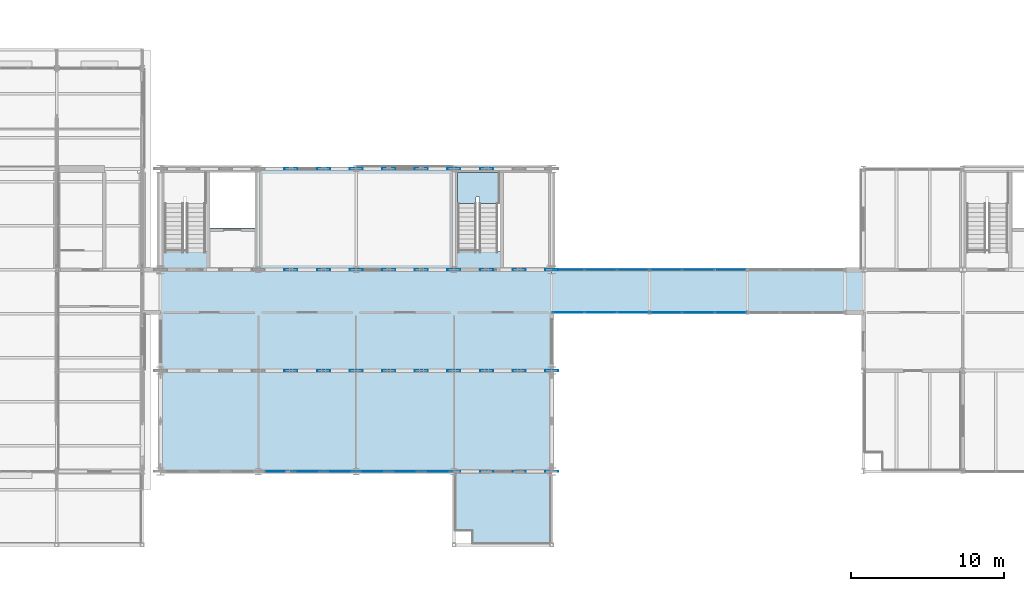
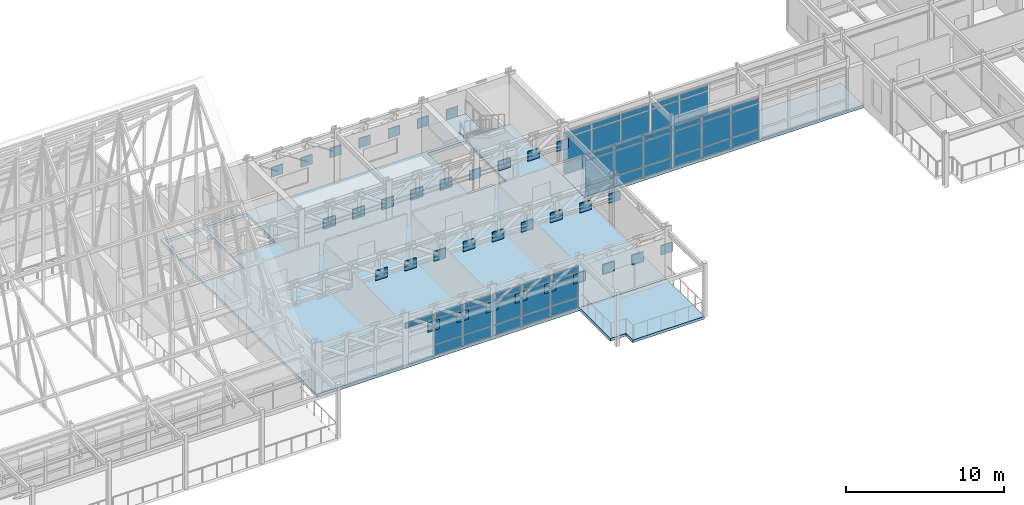
# One storey, part 95 of 144: 84 plates, 4 slabs, 7 elements without a shape of their own.
"""IFC4 building model written with IfcOpenShell, lengths in metres."""

from ifc_helpers import new_model, si_unit, direction, frame, origin, origin_2d, place, context, subcontext, project, spatial, polyline, rectangle, outline, extrude, material, layer, layer_set, type_object, element, aggregate, save


model = new_model("IFC4")

# Units and contexts
model_context = context("Model", 3, precision=1e-05, world=origin(), true_north=direction((0.0, 1.0)))
body_context = subcontext(model_context, "Body", "Model", "MODEL_VIEW")
ifc_project = project(units=[si_unit("LENGTHUNIT", "METRE"), si_unit("AREAUNIT", "SQUARE_METRE"), si_unit("VOLUMEUNIT", "CUBIC_METRE"), si_unit("PLANEANGLEUNIT", "RADIAN"), si_unit("MASSUNIT", "GRAM", prefix="KILO")], contexts=[model_context])

# Site, building, storey
site_placement = place(None, origin())
site = spatial("IfcSite", under=ifc_project, at=site_placement, CompositionType="ELEMENT")
building_placement = place(site_placement, origin())
building = spatial("IfcBuilding", under=site, at=building_placement, Name="Trelmorton Wharf Fire Station", CompositionType="ELEMENT")
storey_placement = place(building_placement, frame((0.0, 0.0, 5.39990234375)))
storey = spatial("IfcBuildingStorey", under=building, at=storey_placement, Name="L01", CompositionType="ELEMENT", Elevation=5.39990234375)

# Curtain wall, plates
ifc_material_1 = material(Name="Anodised aluminium AW-6063", Category="aluminium")
ifc_layer_1 = layer(ifc_material_1, 0.159912109375)
ifc_layer_set_1 = layer_set([ifc_layer_1], Name="Anodised aluminium AW-6063")
curtain_wall_type_1 = type_object("IfcCurtainWallType", Name="CW_CHIC_A", PredefinedType="USERDEFINED", material=ifc_layer_set_1)
curtain_wall_1_placement = place(storey_placement, origin())
curtain_wall_1 = element("IfcCurtainWall", 1, at=curtain_wall_1_placement, inside=storey, type_object=curtain_wall_type_1, Name="CW-V3-L01-023", ObjectType="CHICAGO BAY CURTAIN WALL", PredefinedType="USERDEFINED")
ifc_material_2 = material(Name="Tempered low-E double glazing", Category="glass")
ifc_layer_2 = layer(ifc_material_2, 0.028076171875)
ifc_layer_set_2 = layer_set([ifc_layer_2], Name="Tempered low-E double glazing")
plate_type_1 = type_object("IfcPlateType", Name="CWP_GLAZ_28", PredefinedType="CURTAIN_PANEL", material=ifc_layer_set_2)
plate_1_placement = place(storey_placement, frame((69.715087890625, 7.800048828125, 0.06005859375), z_axis=(0.0, 0.0, 1.0), x_axis=(-1.0, 0.0, 0.0)))
plate_1 = element("IfcPlate", 2, at=plate_1_placement, type_object=plate_type_1, Name="CW1 panel 1.1", PredefinedType="CURTAIN_PANEL", context=body_context, shape_type="SweptSolid", body=[
    extrude(rectangle(XDim=2.0400390625, YDim=0.028076171875, at=origin_2d()), origin(), (0.0, 0.0, 1.0), 0.760009765625),
])
plate_2_placement = place(storey_placement, frame((69.715087890625, 7.800048828125, 0.88037109375), z_axis=(0.0, 0.0, 1.0), x_axis=(-1.0, 0.0, 0.0)))
plate_2 = element("IfcPlate", 3, at=plate_2_placement, type_object=plate_type_1, Name="CW1 panel 1.2", PredefinedType="CURTAIN_PANEL", context=body_context, shape_type="SweptSolid", body=[
    extrude(rectangle(XDim=2.0400390625, YDim=0.028076171875, at=origin_2d()), origin(), (0.0, 0.0, 1.0), 1.909912109375),
])
plate_3_placement = place(storey_placement, frame((69.715087890625, 7.800048828125, 2.85009765625), z_axis=(0.0, 0.0, 1.0), x_axis=(-1.0, 0.0, 0.0)))
plate_3 = element("IfcPlate", 4, at=plate_3_placement, type_object=plate_type_1, Name="CW1 panel 1.3", PredefinedType="CURTAIN_PANEL", context=body_context, shape_type="SweptSolid", body=[
    extrude(rectangle(XDim=2.0400390625, YDim=0.028076171875, at=origin_2d()), origin(), (0.0, 0.0, 1.0), 0.409912109375),
])
plate_4_placement = place(storey_placement, frame((67.60009765625, 7.800048828125, 0.06005859375), z_axis=(0.0, 0.0, 1.0), x_axis=(-1.0, 0.0, 0.0)))
plate_4 = element("IfcPlate", 5, at=plate_4_placement, type_object=plate_type_1, Name="CW1 panel 2.1", PredefinedType="CURTAIN_PANEL", context=body_context, shape_type="SweptSolid", body=[
    extrude(rectangle(XDim=2.070068359375, YDim=0.028076171875, at=origin_2d()), origin(), (0.0, 0.0, 1.0), 0.760009765625),
])
plate_5_placement = place(storey_placement, frame((67.60009765625, 7.800048828125, 0.88037109375), z_axis=(0.0, 0.0, 1.0), x_axis=(-1.0, 0.0, 0.0)))
plate_5 = element("IfcPlate", 6, at=plate_5_placement, type_object=plate_type_1, Name="CW1 panel 2.2", PredefinedType="CURTAIN_PANEL", context=body_context, shape_type="SweptSolid", body=[
    extrude(rectangle(XDim=2.070068359375, YDim=0.028076171875, at=origin_2d()), origin(), (0.0, 0.0, 1.0), 1.909912109375),
])
plate_6_placement = place(storey_placement, frame((67.60009765625, 7.800048828125, 2.85009765625), z_axis=(0.0, 0.0, 1.0), x_axis=(-1.0, 0.0, 0.0)))
plate_6 = element("IfcPlate", 7, at=plate_6_placement, type_object=plate_type_1, Name="CW1 panel 2.3", PredefinedType="CURTAIN_PANEL", context=body_context, shape_type="SweptSolid", body=[
    extrude(rectangle(XDim=2.070068359375, YDim=0.028076171875, at=origin_2d()), origin(), (0.0, 0.0, 1.0), 0.409912109375),
])
plate_7_placement = place(storey_placement, frame((65.485107421875, 7.800048828125, 2.85009765625), z_axis=(0.0, 0.0, 1.0), x_axis=(-1.0, 0.0, 0.0)))
plate_7 = element("IfcPlate", 8, at=plate_7_placement, type_object=plate_type_1, Name="CW1 panel 3.3", PredefinedType="CURTAIN_PANEL", context=body_context, shape_type="SweptSolid", body=[
    extrude(rectangle(XDim=2.0400390625, YDim=0.028076171875, at=origin_2d()), origin(), (0.0, 0.0, 1.0), 0.409912109375),
])
aggregate(curtain_wall_1, [plate_1, plate_2, plate_3, plate_4, plate_5, plate_6, plate_7])

ifc_layer_3 = layer(ifc_material_1, 0.139892578125)
ifc_layer_set_3 = layer_set([ifc_layer_3], Name="Anodised aluminium AW-6063")
curtain_wall_type_2 = type_object("IfcCurtainWallType", Name="CW_BRDG_A", PredefinedType="USERDEFINED", material=ifc_layer_set_3)
curtain_wall_2_placement = place(storey_placement, origin())
curtain_wall_2 = element("IfcCurtainWall", 9, at=curtain_wall_2_placement, inside=storey, type_object=curtain_wall_type_2, Name="CW-BR-L01-154", ObjectType="UNITISED CURTAIN WALL", PredefinedType="USERDEFINED")
plate_8_placement = place(storey_placement, frame((88.9150390625, 18.199951171875, 0.06005859375), z_axis=(0.0, 0.0, 1.0), x_axis=(-1.0, 0.0, 0.0)))
plate_8 = element("IfcPlate", 10, at=plate_8_placement, type_object=plate_type_1, Name="CW4 panel 1.1", PredefinedType="CURTAIN_PANEL", context=body_context, shape_type="SweptSolid", body=[
    extrude(rectangle(XDim=2.0400390625, YDim=0.028076171875, at=origin_2d()), origin(), (0.0, 0.0, 1.0), 0.760009765625),
])
plate_9_placement = place(storey_placement, frame((88.9150390625, 18.199951171875, 0.88037109375), z_axis=(0.0, 0.0, 1.0), x_axis=(-1.0, 0.0, 0.0)))
plate_9 = element("IfcPlate", 11, at=plate_9_placement, type_object=plate_type_1, Name="CW4 panel 1.2", PredefinedType="CURTAIN_PANEL", context=body_context, shape_type="SweptSolid", body=[
    extrude(rectangle(XDim=2.0400390625, YDim=0.028076171875, at=origin_2d()), origin(), (0.0, 0.0, 1.0), 1.909912109375),
])
plate_10_placement = place(storey_placement, frame((88.9150390625, 18.199951171875, 2.85009765625), z_axis=(0.0, 0.0, 1.0), x_axis=(-1.0, 0.0, 0.0)))
plate_10 = element("IfcPlate", 12, at=plate_10_placement, type_object=plate_type_1, Name="CW4 panel 1.3", PredefinedType="CURTAIN_PANEL", context=body_context, shape_type="SweptSolid", body=[
    extrude(rectangle(XDim=2.0400390625, YDim=0.028076171875, at=origin_2d()), origin(), (0.0, 0.0, 1.0), 0.409912109375),
])
plate_11_placement = place(storey_placement, frame((86.800048828125, 18.199951171875, 0.06005859375), z_axis=(0.0, 0.0, 1.0), x_axis=(-1.0, 0.0, 0.0)))
plate_11 = element("IfcPlate", 13, at=plate_11_placement, type_object=plate_type_1, Name="CW4 panel 2.1", PredefinedType="CURTAIN_PANEL", context=body_context, shape_type="SweptSolid", body=[
    extrude(rectangle(XDim=2.070068359375, YDim=0.028076171875, at=origin_2d()), origin(), (0.0, 0.0, 1.0), 0.760009765625),
])
plate_12_placement = place(storey_placement, frame((86.800048828125, 18.199951171875, 0.88037109375), z_axis=(0.0, 0.0, 1.0), x_axis=(-1.0, 0.0, 0.0)))
plate_12 = element("IfcPlate", 14, at=plate_12_placement, type_object=plate_type_1, Name="CW4 panel 2.2", PredefinedType="CURTAIN_PANEL", context=body_context, shape_type="SweptSolid", body=[
    extrude(rectangle(XDim=2.070068359375, YDim=0.028076171875, at=origin_2d()), origin(), (0.0, 0.0, 1.0), 1.909912109375),
])
plate_13_placement = place(storey_placement, frame((86.800048828125, 18.199951171875, 2.85009765625), z_axis=(0.0, 0.0, 1.0), x_axis=(-1.0, 0.0, 0.0)))
plate_13 = element("IfcPlate", 15, at=plate_13_placement, type_object=plate_type_1, Name="CW4 panel 2.3", PredefinedType="CURTAIN_PANEL", context=body_context, shape_type="SweptSolid", body=[
    extrude(rectangle(XDim=2.070068359375, YDim=0.028076171875, at=origin_2d()), origin(), (0.0, 0.0, 1.0), 0.409912109375),
])
plate_14_placement = place(storey_placement, frame((84.68505859375, 18.199951171875, 0.06005859375), z_axis=(0.0, 0.0, 1.0), x_axis=(-1.0, 0.0, 0.0)))
plate_14 = element("IfcPlate", 16, at=plate_14_placement, type_object=plate_type_1, Name="CW4 panel 3.1", PredefinedType="CURTAIN_PANEL", context=body_context, shape_type="SweptSolid", body=[
    extrude(rectangle(XDim=2.0400390625, YDim=0.028076171875, at=origin_2d()), origin(), (0.0, 0.0, 1.0), 0.760009765625),
])
plate_15_placement = place(storey_placement, frame((84.68505859375, 18.199951171875, 0.88037109375), z_axis=(0.0, 0.0, 1.0), x_axis=(-1.0, 0.0, 0.0)))
plate_15 = element("IfcPlate", 17, at=plate_15_placement, type_object=plate_type_1, Name="CW4 panel 3.2", PredefinedType="CURTAIN_PANEL", context=body_context, shape_type="SweptSolid", body=[
    extrude(rectangle(XDim=2.0400390625, YDim=0.028076171875, at=origin_2d()), origin(), (0.0, 0.0, 1.0), 1.909912109375),
])
plate_16_placement = place(storey_placement, frame((84.68505859375, 18.199951171875, 2.85009765625), z_axis=(0.0, 0.0, 1.0), x_axis=(-1.0, 0.0, 0.0)))
plate_16 = element("IfcPlate", 18, at=plate_16_placement, type_object=plate_type_1, Name="CW4 panel 3.3", PredefinedType="CURTAIN_PANEL", context=body_context, shape_type="SweptSolid", body=[
    extrude(rectangle(XDim=2.0400390625, YDim=0.028076171875, at=origin_2d()), origin(), (0.0, 0.0, 1.0), 0.409912109375),
])
aggregate(curtain_wall_2, [plate_8, plate_9, plate_10, plate_11, plate_12, plate_13, plate_14, plate_15, plate_16])

curtain_wall_3_placement = place(storey_placement, origin())
curtain_wall_3 = element("IfcCurtainWall", 19, at=curtain_wall_3_placement, inside=storey, type_object=curtain_wall_type_2, Name="CW-BR-L01-155", ObjectType="UNITISED CURTAIN WALL", PredefinedType="USERDEFINED")
plate_17_placement = place(storey_placement, frame((84.68505859375, 21.0, 0.06005859375), z_axis=(0.0, 0.0, 1.0), x_axis=(1.0, 0.0, 0.0)))
plate_17 = element("IfcPlate", 20, at=plate_17_placement, type_object=plate_type_1, Name="CW4 panel 1.1", PredefinedType="CURTAIN_PANEL", context=body_context, shape_type="SweptSolid", body=[
    extrude(rectangle(XDim=2.0400390625, YDim=0.028076171875, at=origin_2d()), origin(), (0.0, 0.0, 1.0), 0.760009765625),
])
plate_18_placement = place(storey_placement, frame((84.68505859375, 21.0, 0.88037109375), z_axis=(0.0, 0.0, 1.0), x_axis=(1.0, 0.0, 0.0)))
plate_18 = element("IfcPlate", 21, at=plate_18_placement, type_object=plate_type_1, Name="CW4 panel 1.2", PredefinedType="CURTAIN_PANEL", context=body_context, shape_type="SweptSolid", body=[
    extrude(rectangle(XDim=2.0400390625, YDim=0.028076171875, at=origin_2d()), origin(), (0.0, 0.0, 1.0), 1.909912109375),
])
plate_19_placement = place(storey_placement, frame((84.68505859375, 21.0, 2.85009765625), z_axis=(0.0, 0.0, 1.0), x_axis=(1.0, 0.0, 0.0)))
plate_19 = element("IfcPlate", 22, at=plate_19_placement, type_object=plate_type_1, Name="CW4 panel 1.3", PredefinedType="CURTAIN_PANEL", context=body_context, shape_type="SweptSolid", body=[
    extrude(rectangle(XDim=2.0400390625, YDim=0.028076171875, at=origin_2d()), origin(), (0.0, 0.0, 1.0), 0.409912109375),
])
plate_20_placement = place(storey_placement, frame((86.800048828125, 21.0, 0.06005859375), z_axis=(0.0, 0.0, 1.0), x_axis=(1.0, 0.0, 0.0)))
plate_20 = element("IfcPlate", 23, at=plate_20_placement, type_object=plate_type_1, Name="CW4 panel 2.1", PredefinedType="CURTAIN_PANEL", context=body_context, shape_type="SweptSolid", body=[
    extrude(rectangle(XDim=2.070068359375, YDim=0.028076171875, at=origin_2d()), origin(), (0.0, 0.0, 1.0), 0.760009765625),
])
plate_21_placement = place(storey_placement, frame((86.800048828125, 21.0, 0.88037109375), z_axis=(0.0, 0.0, 1.0), x_axis=(1.0, 0.0, 0.0)))
plate_21 = element("IfcPlate", 24, at=plate_21_placement, type_object=plate_type_1, Name="CW4 panel 2.2", PredefinedType="CURTAIN_PANEL", context=body_context, shape_type="SweptSolid", body=[
    extrude(rectangle(XDim=2.070068359375, YDim=0.028076171875, at=origin_2d()), origin(), (0.0, 0.0, 1.0), 1.909912109375),
])
plate_22_placement = place(storey_placement, frame((86.800048828125, 21.0, 2.85009765625), z_axis=(0.0, 0.0, 1.0), x_axis=(1.0, 0.0, 0.0)))
plate_22 = element("IfcPlate", 25, at=plate_22_placement, type_object=plate_type_1, Name="CW4 panel 2.3", PredefinedType="CURTAIN_PANEL", context=body_context, shape_type="SweptSolid", body=[
    extrude(rectangle(XDim=2.070068359375, YDim=0.028076171875, at=origin_2d()), origin(), (0.0, 0.0, 1.0), 0.409912109375),
])
plate_23_placement = place(storey_placement, frame((88.9150390625, 21.0, 0.06005859375), z_axis=(0.0, 0.0, 1.0), x_axis=(1.0, 0.0, 0.0)))
plate_23 = element("IfcPlate", 26, at=plate_23_placement, type_object=plate_type_1, Name="CW4 panel 3.1", PredefinedType="CURTAIN_PANEL", context=body_context, shape_type="SweptSolid", body=[
    extrude(rectangle(XDim=2.0400390625, YDim=0.028076171875, at=origin_2d()), origin(), (0.0, 0.0, 1.0), 0.760009765625),
])
plate_24_placement = place(storey_placement, frame((88.9150390625, 21.0, 0.88037109375), z_axis=(0.0, 0.0, 1.0), x_axis=(1.0, 0.0, 0.0)))
plate_24 = element("IfcPlate", 27, at=plate_24_placement, type_object=plate_type_1, Name="CW4 panel 3.2", PredefinedType="CURTAIN_PANEL", context=body_context, shape_type="SweptSolid", body=[
    extrude(rectangle(XDim=2.0400390625, YDim=0.028076171875, at=origin_2d()), origin(), (0.0, 0.0, 1.0), 1.909912109375),
])
plate_25_placement = place(storey_placement, frame((88.9150390625, 21.0, 2.85009765625), z_axis=(0.0, 0.0, 1.0), x_axis=(1.0, 0.0, 0.0)))
plate_25 = element("IfcPlate", 28, at=plate_25_placement, type_object=plate_type_1, Name="CW4 panel 3.3", PredefinedType="CURTAIN_PANEL", context=body_context, shape_type="SweptSolid", body=[
    extrude(rectangle(XDim=2.0400390625, YDim=0.028076171875, at=origin_2d()), origin(), (0.0, 0.0, 1.0), 0.409912109375),
])
aggregate(curtain_wall_3, [plate_17, plate_18, plate_19, plate_20, plate_21, plate_22, plate_23, plate_24, plate_25])

curtain_wall_4_placement = place(storey_placement, origin())
curtain_wall_4 = element("IfcCurtainWall", 29, at=curtain_wall_4_placement, inside=storey, type_object=curtain_wall_type_2, Name="CW-BR-L01-157", ObjectType="UNITISED CURTAIN WALL", PredefinedType="USERDEFINED")
plate_26_placement = place(storey_placement, frame((91.0849609375, 21.0, 0.06005859375), z_axis=(0.0, 0.0, 1.0), x_axis=(1.0, 0.0, 0.0)))
plate_26 = element("IfcPlate", 30, at=plate_26_placement, type_object=plate_type_1, Name="CW4 panel 1.1", PredefinedType="CURTAIN_PANEL", context=body_context, shape_type="SweptSolid", body=[
    extrude(rectangle(XDim=2.0400390625, YDim=0.028076171875, at=origin_2d()), origin(), (0.0, 0.0, 1.0), 0.760009765625),
])
plate_27_placement = place(storey_placement, frame((91.0849609375, 21.0, 0.88037109375), z_axis=(0.0, 0.0, 1.0), x_axis=(1.0, 0.0, 0.0)))
plate_27 = element("IfcPlate", 31, at=plate_27_placement, type_object=plate_type_1, Name="CW4 panel 1.2", PredefinedType="CURTAIN_PANEL", context=body_context, shape_type="SweptSolid", body=[
    extrude(rectangle(XDim=2.0400390625, YDim=0.028076171875, at=origin_2d()), origin(), (0.0, 0.0, 1.0), 1.909912109375),
])
plate_28_placement = place(storey_placement, frame((91.0849609375, 21.0, 2.85009765625), z_axis=(0.0, 0.0, 1.0), x_axis=(1.0, 0.0, 0.0)))
plate_28 = element("IfcPlate", 32, at=plate_28_placement, type_object=plate_type_1, Name="CW4 panel 1.3", PredefinedType="CURTAIN_PANEL", context=body_context, shape_type="SweptSolid", body=[
    extrude(rectangle(XDim=2.0400390625, YDim=0.028076171875, at=origin_2d()), origin(), (0.0, 0.0, 1.0), 0.409912109375),
])
plate_29_placement = place(storey_placement, frame((93.199951171875, 21.0, 0.06005859375), z_axis=(0.0, 0.0, 1.0), x_axis=(1.0, 0.0, 0.0)))
plate_29 = element("IfcPlate", 33, at=plate_29_placement, type_object=plate_type_1, Name="CW4 panel 2.1", PredefinedType="CURTAIN_PANEL", context=body_context, shape_type="SweptSolid", body=[
    extrude(rectangle(XDim=2.070068359375, YDim=0.028076171875, at=origin_2d()), origin(), (0.0, 0.0, 1.0), 0.760009765625),
])
plate_30_placement = place(storey_placement, frame((93.199951171875, 21.0, 0.88037109375), z_axis=(0.0, 0.0, 1.0), x_axis=(1.0, 0.0, 0.0)))
plate_30 = element("IfcPlate", 34, at=plate_30_placement, type_object=plate_type_1, Name="CW4 panel 2.2", PredefinedType="CURTAIN_PANEL", context=body_context, shape_type="SweptSolid", body=[
    extrude(rectangle(XDim=2.070068359375, YDim=0.028076171875, at=origin_2d()), origin(), (0.0, 0.0, 1.0), 1.909912109375),
])
plate_31_placement = place(storey_placement, frame((93.199951171875, 21.0, 2.85009765625), z_axis=(0.0, 0.0, 1.0), x_axis=(1.0, 0.0, 0.0)))
plate_31 = element("IfcPlate", 35, at=plate_31_placement, type_object=plate_type_1, Name="CW4 panel 2.3", PredefinedType="CURTAIN_PANEL", context=body_context, shape_type="SweptSolid", body=[
    extrude(rectangle(XDim=2.070068359375, YDim=0.028076171875, at=origin_2d()), origin(), (0.0, 0.0, 1.0), 0.409912109375),
])
plate_32_placement = place(storey_placement, frame((95.31494140625, 21.0, 0.06005859375), z_axis=(0.0, 0.0, 1.0), x_axis=(1.0, 0.0, 0.0)))
plate_32 = element("IfcPlate", 36, at=plate_32_placement, type_object=plate_type_1, Name="CW4 panel 3.1", PredefinedType="CURTAIN_PANEL", context=body_context, shape_type="SweptSolid", body=[
    extrude(rectangle(XDim=2.0400390625, YDim=0.028076171875, at=origin_2d()), origin(), (0.0, 0.0, 1.0), 0.760009765625),
])
aggregate(curtain_wall_4, [plate_26, plate_27, plate_28, plate_29, plate_30, plate_31, plate_32])

curtain_wall_5_placement = place(storey_placement, origin())
curtain_wall_5 = element("IfcCurtainWall", 37, at=curtain_wall_5_placement, inside=storey, type_object=curtain_wall_type_1, Name="CW-V3-L01-024", ObjectType="CHICAGO BAY CURTAIN WALL", PredefinedType="USERDEFINED")
ifc_material_3 = material(Name="Ceramic-fritted spandrel glazing", Category="glass")
ifc_layer_4 = layer(ifc_material_3, 0.028076171875)
ifc_layer_set_4 = layer_set([ifc_layer_4], Name="Ceramic-fritted spandrel glazing")
plate_type_2 = type_object("IfcPlateType", Name="CWP_SPAN_48", PredefinedType="CURTAIN_PANEL", material=ifc_layer_set_4)
plate_33_placement = place(storey_placement, frame((76.114990234375, 7.800048828125, 0.06005859375), z_axis=(0.0, 0.0, 1.0), x_axis=(-1.0, 0.0, 0.0)))
plate_33 = element("IfcPlate", 38, at=plate_33_placement, type_object=plate_type_2, Name="CW1 panel 1.1", PredefinedType="CURTAIN_PANEL", context=body_context, shape_type="SweptSolid", body=[
    extrude(rectangle(XDim=2.0400390625, YDim=0.028076171875, at=origin_2d()), origin(), (0.0, 0.0, 1.0), 0.760009765625),
])
plate_34_placement = place(storey_placement, frame((76.114990234375, 7.800048828125, 0.88037109375), z_axis=(0.0, 0.0, 1.0), x_axis=(-1.0, 0.0, 0.0)))
plate_34 = element("IfcPlate", 39, at=plate_34_placement, type_object=plate_type_2, Name="CW1 panel 1.2", PredefinedType="CURTAIN_PANEL", context=body_context, shape_type="SweptSolid", body=[
    extrude(rectangle(XDim=2.0400390625, YDim=0.028076171875, at=origin_2d()), origin(), (0.0, 0.0, 1.0), 1.909912109375),
])
plate_35_placement = place(storey_placement, frame((76.114990234375, 7.800048828125, 2.85009765625), z_axis=(0.0, 0.0, 1.0), x_axis=(-1.0, 0.0, 0.0)))
plate_35 = element("IfcPlate", 40, at=plate_35_placement, type_object=plate_type_2, Name="CW1 panel 1.3", PredefinedType="CURTAIN_PANEL", context=body_context, shape_type="SweptSolid", body=[
    extrude(rectangle(XDim=2.0400390625, YDim=0.028076171875, at=origin_2d()), origin(), (0.0, 0.0, 1.0), 0.409912109375),
])
plate_36_placement = place(storey_placement, frame((74.0, 7.800048828125, 0.06005859375), z_axis=(0.0, 0.0, 1.0), x_axis=(-1.0, 0.0, 0.0)))
plate_36 = element("IfcPlate", 41, at=plate_36_placement, type_object=plate_type_2, Name="CW1 panel 2.1", PredefinedType="CURTAIN_PANEL", context=body_context, shape_type="SweptSolid", body=[
    extrude(rectangle(XDim=2.070068359375, YDim=0.028076171875, at=origin_2d()), origin(), (0.0, 0.0, 1.0), 0.760009765625),
])
plate_37_placement = place(storey_placement, frame((74.0, 7.800048828125, 0.88037109375), z_axis=(0.0, 0.0, 1.0), x_axis=(-1.0, 0.0, 0.0)))
plate_37 = element("IfcPlate", 42, at=plate_37_placement, type_object=plate_type_2, Name="CW1 panel 2.2", PredefinedType="CURTAIN_PANEL", context=body_context, shape_type="SweptSolid", body=[
    extrude(rectangle(XDim=2.070068359375, YDim=0.028076171875, at=origin_2d()), origin(), (0.0, 0.0, 1.0), 1.909912109375),
])
plate_38_placement = place(storey_placement, frame((74.0, 7.800048828125, 2.85009765625), z_axis=(0.0, 0.0, 1.0), x_axis=(-1.0, 0.0, 0.0)))
plate_38 = element("IfcPlate", 43, at=plate_38_placement, type_object=plate_type_2, Name="CW1 panel 2.3", PredefinedType="CURTAIN_PANEL", context=body_context, shape_type="SweptSolid", body=[
    extrude(rectangle(XDim=2.070068359375, YDim=0.028076171875, at=origin_2d()), origin(), (0.0, 0.0, 1.0), 0.409912109375),
])
plate_39_placement = place(storey_placement, frame((71.885009765625, 7.800048828125, 0.06005859375), z_axis=(0.0, 0.0, 1.0), x_axis=(-1.0, 0.0, 0.0)))
plate_39 = element("IfcPlate", 44, at=plate_39_placement, type_object=plate_type_2, Name="CW1 panel 3.1", PredefinedType="CURTAIN_PANEL", context=body_context, shape_type="SweptSolid", body=[
    extrude(rectangle(XDim=2.0400390625, YDim=0.028076171875, at=origin_2d()), origin(), (0.0, 0.0, 1.0), 0.760009765625),
])
plate_40_placement = place(storey_placement, frame((71.885009765625, 7.800048828125, 0.88037109375), z_axis=(0.0, 0.0, 1.0), x_axis=(-1.0, 0.0, 0.0)))
plate_40 = element("IfcPlate", 45, at=plate_40_placement, type_object=plate_type_2, Name="CW1 panel 3.2", PredefinedType="CURTAIN_PANEL", context=body_context, shape_type="SweptSolid", body=[
    extrude(rectangle(XDim=2.0400390625, YDim=0.028076171875, at=origin_2d()), origin(), (0.0, 0.0, 1.0), 1.909912109375),
])
plate_41_placement = place(storey_placement, frame((71.885009765625, 7.800048828125, 2.85009765625), z_axis=(0.0, 0.0, 1.0), x_axis=(-1.0, 0.0, 0.0)))
plate_41 = element("IfcPlate", 46, at=plate_41_placement, type_object=plate_type_2, Name="CW1 panel 3.3", PredefinedType="CURTAIN_PANEL", context=body_context, shape_type="SweptSolid", body=[
    extrude(rectangle(XDim=2.0400390625, YDim=0.028076171875, at=origin_2d()), origin(), (0.0, 0.0, 1.0), 0.409912109375),
])
aggregate(curtain_wall_5, [plate_33, plate_34, plate_35, plate_36, plate_37, plate_38, plate_39, plate_40, plate_41])

curtain_wall_6_placement = place(storey_placement, origin())
curtain_wall_6 = element("IfcCurtainWall", 47, at=curtain_wall_6_placement, inside=storey, type_object=curtain_wall_type_2, Name="CW-BR-L01-156", ObjectType="UNITISED CURTAIN WALL", PredefinedType="USERDEFINED")
plate_42_placement = place(storey_placement, frame((95.31494140625, 18.199951171875, 0.06005859375), z_axis=(0.0, 0.0, 1.0), x_axis=(-1.0, 0.0, 0.0)))
plate_42 = element("IfcPlate", 48, at=plate_42_placement, type_object=plate_type_2, Name="CW4 panel 1.1", PredefinedType="CURTAIN_PANEL", context=body_context, shape_type="SweptSolid", body=[
    extrude(rectangle(XDim=2.0400390625, YDim=0.028076171875, at=origin_2d()), origin(), (0.0, 0.0, 1.0), 0.760009765625),
])
plate_43_placement = place(storey_placement, frame((95.31494140625, 18.199951171875, 0.88037109375), z_axis=(0.0, 0.0, 1.0), x_axis=(-1.0, 0.0, 0.0)))
plate_43 = element("IfcPlate", 49, at=plate_43_placement, type_object=plate_type_2, Name="CW4 panel 1.2", PredefinedType="CURTAIN_PANEL", context=body_context, shape_type="SweptSolid", body=[
    extrude(rectangle(XDim=2.0400390625, YDim=0.028076171875, at=origin_2d()), origin(), (0.0, 0.0, 1.0), 1.909912109375),
])
plate_44_placement = place(storey_placement, frame((95.31494140625, 18.199951171875, 2.85009765625), z_axis=(0.0, 0.0, 1.0), x_axis=(-1.0, 0.0, 0.0)))
plate_44 = element("IfcPlate", 50, at=plate_44_placement, type_object=plate_type_2, Name="CW4 panel 1.3", PredefinedType="CURTAIN_PANEL", context=body_context, shape_type="SweptSolid", body=[
    extrude(rectangle(XDim=2.0400390625, YDim=0.028076171875, at=origin_2d()), origin(), (0.0, 0.0, 1.0), 0.409912109375),
])
plate_45_placement = place(storey_placement, frame((93.199951171875, 18.199951171875, 0.06005859375), z_axis=(0.0, 0.0, 1.0), x_axis=(-1.0, 0.0, 0.0)))
plate_45 = element("IfcPlate", 51, at=plate_45_placement, type_object=plate_type_2, Name="CW4 panel 2.1", PredefinedType="CURTAIN_PANEL", context=body_context, shape_type="SweptSolid", body=[
    extrude(rectangle(XDim=2.070068359375, YDim=0.028076171875, at=origin_2d()), origin(), (0.0, 0.0, 1.0), 0.760009765625),
])
plate_46_placement = place(storey_placement, frame((93.199951171875, 18.199951171875, 0.88037109375), z_axis=(0.0, 0.0, 1.0), x_axis=(-1.0, 0.0, 0.0)))
plate_46 = element("IfcPlate", 52, at=plate_46_placement, type_object=plate_type_2, Name="CW4 panel 2.2", PredefinedType="CURTAIN_PANEL", context=body_context, shape_type="SweptSolid", body=[
    extrude(rectangle(XDim=2.070068359375, YDim=0.028076171875, at=origin_2d()), origin(), (0.0, 0.0, 1.0), 1.909912109375),
])
plate_47_placement = place(storey_placement, frame((93.199951171875, 18.199951171875, 2.85009765625), z_axis=(0.0, 0.0, 1.0), x_axis=(-1.0, 0.0, 0.0)))
plate_47 = element("IfcPlate", 53, at=plate_47_placement, type_object=plate_type_2, Name="CW4 panel 2.3", PredefinedType="CURTAIN_PANEL", context=body_context, shape_type="SweptSolid", body=[
    extrude(rectangle(XDim=2.070068359375, YDim=0.028076171875, at=origin_2d()), origin(), (0.0, 0.0, 1.0), 0.409912109375),
])
plate_48_placement = place(storey_placement, frame((91.0849609375, 18.199951171875, 0.06005859375), z_axis=(0.0, 0.0, 1.0), x_axis=(-1.0, 0.0, 0.0)))
plate_48 = element("IfcPlate", 54, at=plate_48_placement, type_object=plate_type_2, Name="CW4 panel 3.1", PredefinedType="CURTAIN_PANEL", context=body_context, shape_type="SweptSolid", body=[
    extrude(rectangle(XDim=2.0400390625, YDim=0.028076171875, at=origin_2d()), origin(), (0.0, 0.0, 1.0), 0.760009765625),
])
plate_49_placement = place(storey_placement, frame((91.0849609375, 18.199951171875, 0.88037109375), z_axis=(0.0, 0.0, 1.0), x_axis=(-1.0, 0.0, 0.0)))
plate_49 = element("IfcPlate", 55, at=plate_49_placement, type_object=plate_type_2, Name="CW4 panel 3.2", PredefinedType="CURTAIN_PANEL", context=body_context, shape_type="SweptSolid", body=[
    extrude(rectangle(XDim=2.0400390625, YDim=0.028076171875, at=origin_2d()), origin(), (0.0, 0.0, 1.0), 1.909912109375),
])
plate_50_placement = place(storey_placement, frame((91.0849609375, 18.199951171875, 2.85009765625), z_axis=(0.0, 0.0, 1.0), x_axis=(-1.0, 0.0, 0.0)))
plate_50 = element("IfcPlate", 56, at=plate_50_placement, type_object=plate_type_2, Name="CW4 panel 3.3", PredefinedType="CURTAIN_PANEL", context=body_context, shape_type="SweptSolid", body=[
    extrude(rectangle(XDim=2.0400390625, YDim=0.028076171875, at=origin_2d()), origin(), (0.0, 0.0, 1.0), 0.409912109375),
])
aggregate(curtain_wall_6, [plate_42, plate_43, plate_44, plate_45, plate_46, plate_47, plate_48, plate_49, plate_50])

# Plates
ifc_material_4 = material(Name="Steel Grade 350", Category="steel")
ifc_layer_5 = layer(ifc_material_4, 0.06005859375)
ifc_layer_set_5 = layer_set([ifc_layer_5], Name="Steel Grade 350")
plate_type_3 = type_object("IfcPlateType", Name="PL_GUSSET_KTN1", PredefinedType="USERDEFINED", material=ifc_layer_set_5)
for number, where, z_axis, x_axis, name in (
    (57, (66.533203125, 7.800048828125, 1.97509765625), (0.0, 0.0, 1.0), (1.0, 0.0, 0.0), "PL-KTN-0009"),
    (58, (68.666748046875, 7.800048828125, 1.97509765625), (0.0, 0.0, 1.0), (1.0, 0.0, 0.0), "PL-KTN-0011"),
    (59, (70.800048828125, 7.800048828125, 1.97509765625), (0.0, 0.0, 1.0), (1.0, 0.0, 0.0), "PL-KTN-0013"),
    (60, (72.933349609375, 7.800048828125, 1.97509765625), (0.0, 0.0, 1.0), (1.0, 0.0, 0.0), "PL-KTN-0015"),
    (61, (75.066650390625, 7.800048828125, 1.97509765625), (0.0, 0.0, 1.0), (1.0, 0.0, 0.0), "PL-KTN-0017"),
    (62, (77.199951171875, 7.800048828125, 1.97509765625), (0.0, 0.0, 1.0), (1.0, 0.0, 0.0), "PL-KTN-0019"),
    (63, (79.333251953125, 7.800048828125, 1.97509765625), (0.0, 0.0, 1.0), (1.0, 0.0, 0.0), "PL-KTN-0021"),
    (64, (81.466796875, 7.800048828125, 1.97509765625), (0.0, 0.0, 1.0), (1.0, 0.0, 0.0), "PL-KTN-0023"),
    (65, (83.587890625, 7.800048828125, 1.97509765625), (0.0, 0.0, 1.0), (1.0, 0.0, 0.0), "PL-KTN-0025"),
    (66, (66.533203125, 14.39990234375, 1.97509765625), (0.0, 0.0, 1.0), (1.0, 0.0, 0.0), "PL-KTN-0035"),
    (67, (68.666748046875, 14.39990234375, 1.97509765625), (0.0, 0.0, 1.0), (1.0, 0.0, 0.0), "PL-KTN-0037"),
    (68, (70.800048828125, 14.39990234375, 1.97509765625), (0.0, 0.0, 1.0), (1.0, 0.0, 0.0), "PL-KTN-0039"),
    (69, (72.933349609375, 14.39990234375, 1.97509765625), (0.0, 0.0, 1.0), (1.0, 0.0, 0.0), "PL-KTN-0041"),
    (70, (75.066650390625, 14.39990234375, 1.97509765625), (0.0, 0.0, 1.0), (1.0, 0.0, 0.0), "PL-KTN-0043"),
    (71, (77.199951171875, 14.39990234375, 1.97509765625), (0.0, 0.0, 1.0), (1.0, 0.0, 0.0), "PL-KTN-0045"),
    (72, (79.333251953125, 14.39990234375, 1.97509765625), (0.0, 0.0, 1.0), (1.0, 0.0, 0.0), "PL-KTN-0047"),
    (73, (81.466796875, 14.39990234375, 1.97509765625), (0.0, 0.0, 1.0), (1.0, 0.0, 0.0), "PL-KTN-0049"),
    (74, (83.587890625, 14.39990234375, 1.97509765625), (0.0, 0.0, 1.0), (1.0, 0.0, 0.0), "PL-KTN-0051"),
    (75, (66.533203125, 21.0, 1.97509765625), (0.0, 0.0, 1.0), (1.0, 0.0, 0.0), "PL-KTN-0061"),
    (76, (68.666748046875, 21.0, 1.97509765625), (0.0, 0.0, 1.0), (1.0, 0.0, 0.0), "PL-KTN-0063"),
    (77, (70.800048828125, 21.0, 1.97509765625), (0.0, 0.0, 1.0), (1.0, 0.0, 0.0), "PL-KTN-0065"),
    (78, (72.933349609375, 21.0, 1.97509765625), (0.0, 0.0, 1.0), (1.0, 0.0, 0.0), "PL-KTN-0067"),
    (79, (75.066650390625, 21.0, 1.97509765625), (0.0, 0.0, 1.0), (1.0, 0.0, 0.0), "PL-KTN-0069"),
    (80, (77.199951171875, 21.0, 1.97509765625), (0.0, 0.0, 1.0), (1.0, 0.0, 0.0), "PL-KTN-0071"),
    (81, (79.333251953125, 21.0, 1.97509765625), (0.0, 0.0, 1.0), (1.0, 0.0, 0.0), "PL-KTN-0073"),
    (82, (81.466796875, 21.0, 1.97509765625), (0.0, 0.0, 1.0), (1.0, 0.0, 0.0), "PL-KTN-0075"),
    (83, (83.587890625, 21.0, 1.97509765625), (0.0, 0.0, 1.0), (1.0, 0.0, 0.0), "PL-KTN-0077"),
    (84, (66.533203125, 27.60009765625, 1.97509765625), (0.0, 0.0, 1.0), (1.0, 0.0, 0.0), "PL-KTN-0087"),
    (85, (68.666748046875, 27.60009765625, 1.97509765625), (0.0, 0.0, 1.0), (1.0, 0.0, 0.0), "PL-KTN-0089"),
    (86, (70.800048828125, 27.60009765625, 1.97509765625), (0.0, 0.0, 1.0), (1.0, 0.0, 0.0), "PL-KTN-0091"),
    (87, (72.933349609375, 27.60009765625, 1.97509765625), (0.0, 0.0, 1.0), (1.0, 0.0, 0.0), "PL-KTN-0093"),
    (88, (75.066650390625, 27.60009765625, 1.97509765625), (0.0, 0.0, 1.0), (1.0, 0.0, 0.0), "PL-KTN-0095"),
    (89, (77.199951171875, 27.60009765625, 1.97509765625), (0.0, 0.0, 1.0), (1.0, 0.0, 0.0), "PL-KTN-0097"),
    (90, (79.333251953125, 27.60009765625, 1.97509765625), (0.0, 0.0, 1.0), (1.0, 0.0, 0.0), "PL-KTN-0099"),
):
    element("IfcPlate", number, at=place(storey_placement, frame(where, z_axis=z_axis, x_axis=x_axis)), inside=storey, type_object=plate_type_3, Name=name, ObjectType="GUSSET PLATE", PredefinedType="USERDEFINED", context=body_context, shape_type="SweptSolid", body=[
        extrude(rectangle(XDim=0.85009765625, YDim=0.06005859375, at=origin_2d()), origin(), (0.0, 0.0, 1.0), 0.75),
    ])

# Slabs
ifc_material_5 = material(Name="Concrete 40 MPa", Category="concrete")
ifc_layer_6 = layer(ifc_material_5, 0.22998046875)
ifc_layer_set_6 = layer_set([ifc_layer_6], Name="Concrete 40 MPa")
slab_type_1 = type_object("IfcSlabType", Name="SL_BRIDGE_230", PredefinedType="FLOOR", material=ifc_layer_set_6)
slab_1_placement = place(storey_placement, frame((0.0, 0.0, -0.22998046875)))
element("IfcSlab", 91, at=slab_1_placement, inside=storey, type_object=slab_type_1, Name="SL-BR2-FL", PredefinedType="FLOOR", context=body_context, shape_type="SweptSolid", body=[
    extrude(outline(polyline([(104.0, 18.199951171875), (104.0, 21.0), (83.60009765625, 21.0), (83.60009765625, 18.199951171875), (104.0, 18.199951171875)])), origin(), (0.0, 0.0, 1.0), 0.22998046875),
])
ifc_layer_7 = layer(ifc_material_5, 0.239990234375)
ifc_layer_set_7 = layer_set([ifc_layer_7], Name="Concrete 40 MPa")
slab_type_2 = type_object("IfcSlabType", Name="SL_FLOOR_240", PredefinedType="FLOOR", material=ifc_layer_set_7)
slab_2_placement = place(storey_placement, frame((0.0, 0.0, -0.239990234375)))
element("IfcSlab", 92, at=slab_2_placement, inside=storey, type_object=slab_type_2, Name="SL-V3-L01-009", PredefinedType="FLOOR", context=body_context, shape_type="SweptSolid", body=[
    extrude(outline(polyline([(83.60009765625, 27.60009765625), (83.60009765625, 7.800048828125), (58.0, 7.800048828125), (58.0, 27.60009765625), (83.60009765625, 27.60009765625)]), holes=[polyline([(58.219970703125, 22.239990234375), (61.010009765625, 22.239990234375), (61.010009765625, 27.3798828125), (58.219970703125, 27.3798828125), (58.219970703125, 22.239990234375)]), polyline([(61.239990234375, 27.3798828125), (61.239990234375, 23.719970703125), (64.179931640625, 23.719970703125), (64.179931640625, 27.3798828125), (61.239990234375, 27.3798828125)]), polyline([(80.2099609375, 27.3798828125), (77.419921875, 27.3798828125), (77.419921875, 22.239990234375), (80.2099609375, 22.239990234375), (80.2099609375, 27.3798828125)])]), origin(), (0.0, 0.0, 1.0), 0.239990234375),
])

# Stair, slab
ifc_material_6 = material(Name="Precast concrete 45 MPa", Category="concrete")
stair_type = type_object("IfcStairType", Name="ST_DOG_420", PredefinedType="HALF_TURN_STAIR", material=ifc_material_6)
stair_placement = place(storey_placement, origin())
stair = element("IfcStair", 93, at=stair_placement, inside=storey, type_object=stair_type, Name="Escape Stair ST3-L01", PredefinedType="HALF_TURN_STAIR")
ifc_layer_8 = layer(ifc_material_6, 0.199951171875)
ifc_layer_set_8 = layer_set([ifc_layer_8], Name="Precast concrete 45 MPa")
slab_type_3 = type_object("IfcSlabType", Name="SL_LAND_180", PredefinedType="LANDING", material=ifc_layer_set_8)
slab_3_placement = place(storey_placement, frame((0.0, 0.0, 1.900146484375)))
slab_3 = element("IfcSlab", 94, at=slab_3_placement, type_object=slab_type_3, Name="ST3-L01 landing 1", PredefinedType="LANDING", context=body_context, shape_type="SweptSolid", body=[
    extrude(outline(polyline([(77.425048828125, 25.330078125), (78.659912109375, 25.330078125), (78.659912109375, 25.75), (78.860107421875, 25.75), (78.860107421875, 25.330078125), (80.205078125, 25.330078125), (80.205078125, 27.375), (77.425048828125, 27.375), (77.425048828125, 25.330078125)])), origin(), (0.0, 0.0, 1.0), 0.199951171875),
])
aggregate(stair, [slab_3])

# Slab
ifc_layer_9 = layer(ifc_material_5, 0.2099609375)
ifc_layer_set_9 = layer_set([ifc_layer_9], Name="Concrete 40 MPa")
slab_type_4 = type_object("IfcSlabType", Name="SL_TERRACE_210", PredefinedType="FLOOR", material=ifc_layer_set_9)
slab_4_placement = place(storey_placement, frame((0.0, 0.0, -0.2099609375)))
element("IfcSlab", 95, at=slab_4_placement, inside=storey, type_object=slab_type_4, Name="SL-EXT-V3_LOGGIA_L01", PredefinedType="FLOOR", context=body_context, shape_type="SweptSolid", body=[
    extrude(outline(polyline([(77.199951171875, 7.800048828125), (83.60009765625, 7.800048828125), (83.60009765625, 3.0), (78.35205078125, 3.0), (78.35205078125, 3.864013671875), (77.199951171875, 3.864013671875), (77.199951171875, 7.800048828125)])), origin(), (0.0, 0.0, 1.0), 0.2099609375),
])

save(model, "model.ifc")
